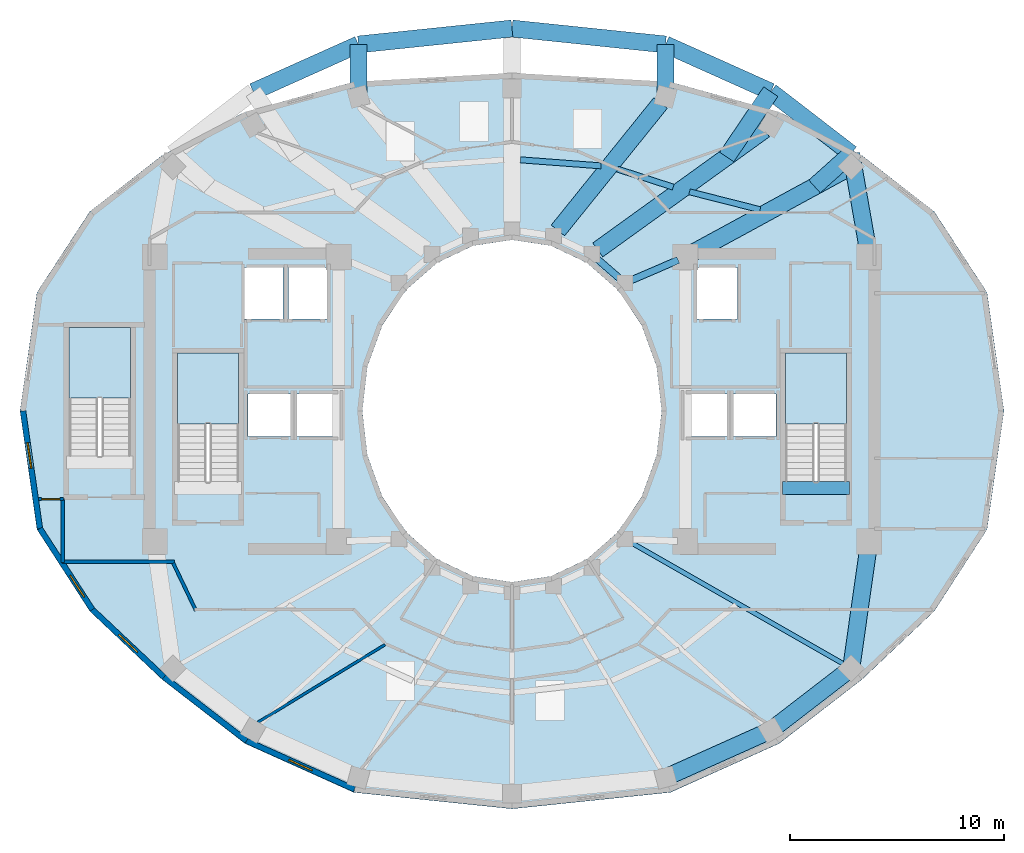
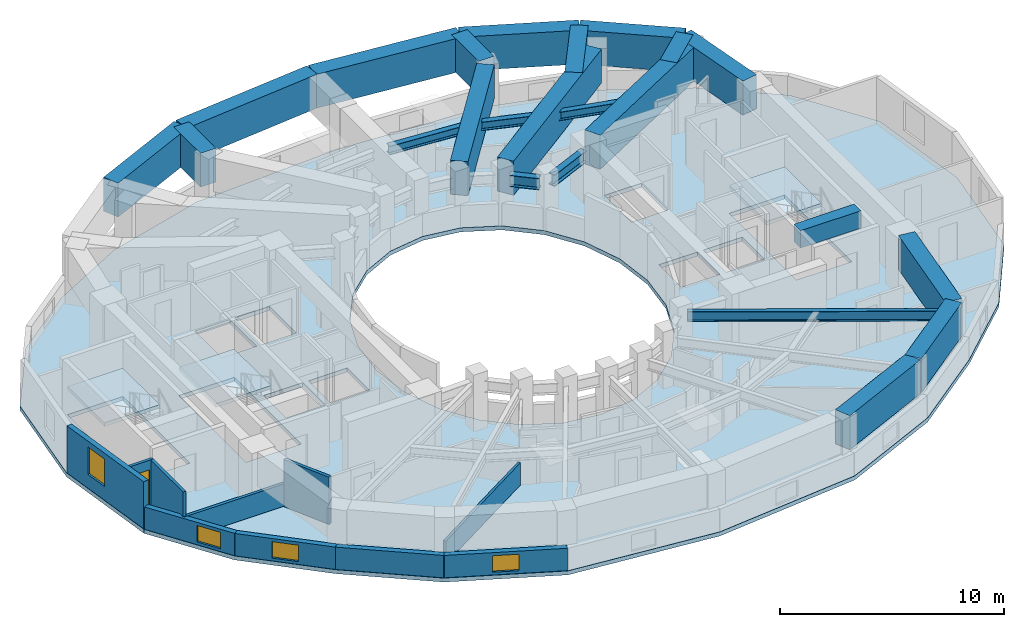
# One storey, part 2 of 9: 23 beams, 10 walls, 4 slabs, 4 windows, 1 door, 5 openings, 3 elements without a shape of their own.
"""IFC4 building model written with IfcOpenShell, lengths in metres."""

from ifc_helpers import new_model, si_unit, direction, frame, frame_2d, origin, origin_2d, place, context, subcontext, project, spatial, polyline, rectangle, i_section, outline, extrude, material, layer, layer_set, material_profile, profile_set, type_object, element, fill, aggregate, save


model = new_model("IFC4")

# Units and contexts
model_context = context("Model", 3, precision=1e-05, world=origin(), true_north=direction((0.0, 1.0)))
body_context = subcontext(model_context, "Body", "Model", "MODEL_VIEW")
ifc_project = project(units=[si_unit("LENGTHUNIT", "METRE"), si_unit("AREAUNIT", "SQUARE_METRE"), si_unit("VOLUMEUNIT", "CUBIC_METRE"), si_unit("PLANEANGLEUNIT", "RADIAN"), si_unit("MASSUNIT", "GRAM", prefix="KILO")], contexts=[model_context])

# Site, building, storey
site_placement = place(None, origin())
site = spatial("IfcSite", under=ifc_project, at=site_placement, CompositionType="ELEMENT")
building_placement = place(site_placement, origin())
building = spatial("IfcBuilding", under=site, at=building_placement, Name="Solvane Sanctuary Tower", CompositionType="ELEMENT")
storey_placement = place(building_placement, frame((0.0, 0.0, 177.699951171875)))
storey = spatial("IfcBuildingStorey", under=building, at=storey_placement, Name="L54", CompositionType="ELEMENT", Elevation=177.699951171875)

# Beams
ifc_material_1 = material(Name="Concrete C70/85", Category="concrete")
ifc_material_profile_1 = material_profile(ifc_material_1, rectangle(XDim=0.60009765625, YDim=0.949951171875, at=origin_2d()), Name="RC600X950")
ifc_profile_set_1 = profile_set([ifc_material_profile_1], Name="Concrete C70/85")
beam_type_1 = type_object("IfcBeamType", Name="Beam B-COUPLE RC600X950", PredefinedType="LINTEL", material=ifc_profile_set_1)
beam_1_placement = place(storey_placement, frame((44.64990234375, 19.399169921875, 2.625), z_axis=(1.0, 0.0, 0.0), x_axis=(0.0, 1.0, 0.0)))
element("IfcBeam", 1, at=beam_1_placement, inside=storey, type_object=beam_type_1, Name="L54 ST-2 Stair Floor Landing Trimmer", PredefinedType="LINTEL", context=body_context, shape_type="SweptSolid", body=[
    extrude(rectangle(XDim=0.60009765625, YDim=0.949951171875, at=origin_2d()), origin(), (0.0, 0.0, 1.0), 3.1201171875),
])
ifc_material_2 = material(Name="Steel ASTM A992 Grade 50", Category="steel")
ifc_material_profile_2 = material_profile(ifc_material_2, i_section(OverallWidth=0.214111328125, OverallDepth=0.549072265625, WebThickness=0.0146484375, FlangeThickness=0.023681640625, FilletRadius=0.014892578125, at=origin_2d()), Name="W21X93")
ifc_profile_set_2 = profile_set([ifc_material_profile_2], Name="Steel ASTM A992 Grade 50")
beam_type_2 = type_object("IfcBeamType", Name="Beam B-RAD-Z3 W21X93", PredefinedType="JOIST", material=ifc_profile_set_2)
beam_2_placement = place(storey_placement, frame((37.51806640625, 16.87890625, 2.323486328125), z_axis=(0.86816302692, -0.496279113694, 0.0), x_axis=(0.496279113694, 0.86816302692, 0.0)))
element("IfcBeam", 2, at=beam_2_placement, inside=storey, type_object=beam_type_2, Name="L54 Radial Composite Floor Beam 14", PredefinedType="JOIST", context=body_context, shape_type="SweptSolid", body=[
    extrude(i_section(OverallWidth=0.214111328125, OverallDepth=0.549072265625, WebThickness=0.0146484375, FlangeThickness=0.023681640625, FilletRadius=0.014892578125, at=origin_2d()), origin(), (0.0, 0.0, 1.0), 11.62841796875),
])
ifc_material_profile_3 = material_profile(ifc_material_2, i_section(OverallWidth=0.324951171875, OverallDepth=0.615966796875, WebThickness=0.013916015625, FlangeThickness=0.021484375, FilletRadius=0.01611328125, at=origin_2d()), Name="W24X117")
ifc_profile_set_3 = profile_set([ifc_material_profile_3], Name="Steel ASTM A992 Grade 50")
beam_type_3 = type_object("IfcBeamType", Name="Beam B-RING-IN2 W24X117", PredefinedType="BEAM", material=ifc_profile_set_3)
beam_3_placement = place(storey_placement, frame((35.990234375, 30.10009765625, 2.2900390625), z_axis=(0.754311313851, -0.656516901379, 0.0), x_axis=(0.656516901379, 0.754311313851, 0.0)))
element("IfcBeam", 3, at=beam_3_placement, inside=storey, type_object=beam_type_3, Name="L54 Inner Light-Well Ring Beam IC02-IC01", PredefinedType="BEAM", context=body_context, shape_type="SweptSolid", body=[
    extrude(i_section(OverallWidth=0.324951171875, OverallDepth=0.615966796875, WebThickness=0.013916015625, FlangeThickness=0.021484375, FilletRadius=0.01611328125, at=origin_2d()), origin(), (0.0, 0.0, 1.0), 1.358154296875),
])
beam_4_placement = place(storey_placement, frame((37.591796875, 29.11865234375, 2.2900390625), z_axis=(0.918264067649, 0.395968561966, 0.0), x_axis=(-0.395968561966, 0.918264067649, 0.0)))
element("IfcBeam", 4, at=beam_4_placement, inside=storey, type_object=beam_type_3, Name="L54 Inner Light-Well Ring Beam IC01-CE4", PredefinedType="BEAM", context=body_context, shape_type="SweptSolid", body=[
    extrude(i_section(OverallWidth=0.324951171875, OverallDepth=0.615966796875, WebThickness=0.013916015625, FlangeThickness=0.021484375, FilletRadius=0.01611328125, at=origin_2d()), origin(), (0.0, 0.0, 1.0), 2.371337890625),
])
ifc_material_profile_4 = material_profile(ifc_material_2, i_section(OverallWidth=0.280029296875, OverallDepth=0.462890625, WebThickness=0.0107421875, FlangeThickness=0.017333984375, FilletRadius=0.013916015625, at=origin_2d()), Name="W18X76")
ifc_profile_set_4 = profile_set([ifc_material_profile_4], Name="Steel ASTM A992 Grade 50")
beam_type_4 = type_object("IfcBeamType", Name="Beam B-SEC-JOIST W18X76", PredefinedType="JOIST", material=ifc_profile_set_4)
beam_5_placement = place(storey_placement, frame((32.393798828125, 34.740478515625, 2.366455078125), z_axis=(0.997214593532, -0.074585886379, 0.0), x_axis=(0.074585886379, 0.997214593532, 0.0)))
element("IfcBeam", 5, at=beam_5_placement, inside=storey, type_object=beam_type_4, Name="L54 Secondary Circumferential Joist 04-03", PredefinedType="JOIST", context=body_context, shape_type="SweptSolid", body=[
    extrude(i_section(OverallWidth=0.280029296875, OverallDepth=0.462890625, WebThickness=0.0107421875, FlangeThickness=0.017333984375, FilletRadius=0.013916015625, at=origin_2d()), origin(), (0.0, 0.0, 1.0), 3.77734375),
])
beam_6_placement = place(storey_placement, frame((36.930419921875, 34.3076171875, 2.366455078125), z_axis=(0.951521219436, -0.307583109035, 0.0), x_axis=(0.307583109035, 0.951521219436, 0.0)))
element("IfcBeam", 6, at=beam_6_placement, inside=storey, type_object=beam_type_4, Name="L54 Secondary Circumferential Joist 03-02", PredefinedType="JOIST", context=body_context, shape_type="SweptSolid", body=[
    extrude(i_section(OverallWidth=0.280029296875, OverallDepth=0.462890625, WebThickness=0.0107421875, FlangeThickness=0.017333984375, FilletRadius=0.013916015625, at=origin_2d()), origin(), (0.0, 0.0, 1.0), 2.74072265625),
])
beam_7_placement = place(storey_placement, frame((40.297119140625, 33.24609375, 2.366455078125), z_axis=(0.969352380712, -0.245674504186, 0.0), x_axis=(0.245674504186, 0.969352380712, 0.0)))
element("IfcBeam", 7, at=beam_7_placement, inside=storey, type_object=beam_type_4, Name="L54 Secondary Circumferential Joist 02-01", PredefinedType="JOIST", context=body_context, shape_type="SweptSolid", body=[
    extrude(i_section(OverallWidth=0.280029296875, OverallDepth=0.462890625, WebThickness=0.0107421875, FlangeThickness=0.017333984375, FilletRadius=0.013916015625, at=origin_2d()), origin(), (0.0, 0.0, 1.0), 3.402587890625),
])
ifc_material_profile_5 = material_profile(ifc_material_1, rectangle(XDim=0.800048828125, YDim=1.85009765625, at=origin_2d()), Name="RC800X1850")
ifc_profile_set_5 = profile_set([ifc_material_profile_5], Name="Concrete C70/85")
beam_type_5 = type_object("IfcBeamType", Name="Beam B-XFER-BLK RC800X1850", PredefinedType="BEAM", material=ifc_profile_set_5)
beam_8_placement = place(storey_placement, frame((40.416015625, 30.372314453125, 2.175048828125), z_axis=(0.878108492406, 0.47846157167, 0.0), x_axis=(-0.47846157167, 0.878108492406, 0.0)))
element("IfcBeam", 8, at=beam_8_placement, inside=storey, type_object=beam_type_5, Name="L54 Block-Shift Radial Transfer Girder 01A", PredefinedType="BEAM", context=body_context, shape_type="SweptSolid", body=[
    extrude(rectangle(XDim=0.800048828125, YDim=1.85009765625, at=origin_2d()), origin(), (0.0, 0.0, 1.0), 8.103515625),
])
beam_9_placement = place(storey_placement, frame((46.144287109375, 33.493408203125, 2.175048828125), z_axis=(0.744063778649, 0.668108593945, 0.0), x_axis=(-0.668108593945, 0.744063778649, 0.0)))
element("IfcBeam", 9, at=beam_9_placement, inside=storey, type_object=beam_type_5, Name="L54 Block-Shift Transfer Tie 01B", PredefinedType="BEAM", context=body_context, shape_type="SweptSolid", body=[
    extrude(rectangle(XDim=0.800048828125, YDim=1.85009765625, at=origin_2d()), origin(), (0.0, 0.0, 1.0), 2.301513671875),
])
beam_10_placement = place(storey_placement, frame((36.010009765625, 30.5283203125, 2.175048828125), z_axis=(0.811184514133, 0.584790290643, 0.0), x_axis=(-0.584790290643, 0.811184514133, 0.0)))
element("IfcBeam", 10, at=beam_10_placement, inside=storey, type_object=beam_type_5, Name="L54 Block-Shift Radial Transfer Girder 02A", PredefinedType="BEAM", context=body_context, shape_type="SweptSolid", body=[
    extrude(rectangle(XDim=0.800048828125, YDim=1.85009765625, at=origin_2d()), origin(), (0.0, 0.0, 1.0), 9.600830078125),
])
beam_11_placement = place(storey_placement, frame((42.03662109375, 34.873291015625, 2.175048828125), z_axis=(0.559400033837, 0.828897823705, 0.0), x_axis=(-0.828897823705, 0.559400033837, 0.0)))
element("IfcBeam", 11, at=beam_11_placement, inside=storey, type_object=beam_type_5, Name="L54 Block-Shift Transfer Tie 02B", PredefinedType="BEAM", context=body_context, shape_type="SweptSolid", body=[
    extrude(rectangle(XDim=0.800048828125, YDim=1.85009765625, at=origin_2d()), origin(), (0.0, 0.0, 1.0), 3.685302734375),
])
beam_12_placement = place(storey_placement, frame((34.147216796875, 31.4404296875, 2.175048828125), z_axis=(0.627295131383, 0.778781624169, 0.0), x_axis=(-0.778781624169, 0.627295131383, 0.0)))
element("IfcBeam", 12, at=beam_12_placement, inside=storey, type_object=beam_type_5, Name="L54 Block-Shift Radial Transfer Girder 03A", PredefinedType="BEAM", context=body_context, shape_type="SweptSolid", body=[
    extrude(rectangle(XDim=0.800048828125, YDim=1.85009765625, at=origin_2d()), origin(), (0.0, 0.0, 1.0), 7.650390625),
])
for number, where, z_axis, x_axis, name in (
    (13, (39.17822265625, 37.73681640625, 2.175048828125), (0.0, 1.0, 0.0), (-1.0, 0.0, 0.0), "L54 Block-Shift Transfer Tie 03B"),
    (14, (24.82177734375, 37.73681640625, 2.175048828125), (0.0, 1.0, 0.0), (-1.0, 0.0, 0.0), "L54 Block-Shift Transfer Tie 05B"),
):
    element("IfcBeam", number, at=place(storey_placement, frame(where, z_axis=z_axis, x_axis=x_axis)), inside=storey, type_object=beam_type_5, Name=name, PredefinedType="BEAM", context=body_context, shape_type="SweptSolid", body=[
        extrude(rectangle(XDim=0.800048828125, YDim=1.85009765625, at=origin_2d()), origin(), (0.0, 0.0, 1.0), 2.397705078125),
    ])
beam_13_placement = place(storey_placement, frame((19.90185546875, 37.927978515625, 2.175048828125), z_axis=(0.912435879272, 0.409219704092, 0.0), x_axis=(-0.409219704092, 0.912435879272, 0.0)))
element("IfcBeam", 15, at=beam_13_placement, inside=storey, type_object=beam_type_5, Name="L54 Perimeter Step Transfer Ring NTC06-NTC05", PredefinedType="BEAM", context=body_context, shape_type="SweptSolid", body=[
    extrude(rectangle(XDim=0.800048828125, YDim=1.85009765625, at=origin_2d()), origin(), (0.0, 0.0, 1.0), 5.39208984375),
])
for number, where, z_axis, x_axis, name in (
    (16, (24.82177734375, 40.134521484375, 2.175048828125), (0.994652199756, 0.10328117699, 0.0), (-0.10328117699, 0.994652199756, 0.0), "L54 Perimeter Step Transfer Ring NTC05-NTC04"),
    (17, (32.0, 40.8798828125, 2.175048828125), (0.994652199756, -0.10328117699, 0.0), (0.10328117699, 0.994652199756, 0.0), "L54 Perimeter Step Transfer Ring NTC04-NTC03"),
):
    element("IfcBeam", number, at=place(storey_placement, frame(where, z_axis=z_axis, x_axis=x_axis)), inside=storey, type_object=beam_type_5, Name=name, PredefinedType="BEAM", context=body_context, shape_type="SweptSolid", body=[
        extrude(rectangle(XDim=0.800048828125, YDim=1.85009765625, at=origin_2d()), origin(), (0.0, 0.0, 1.0), 7.216796875),
    ])
beam_14_placement = place(storey_placement, frame((39.17822265625, 40.134521484375, 2.175048828125), z_axis=(0.912435879272, -0.409219704092, 0.0), x_axis=(0.409219704092, 0.912435879272, 0.0)))
element("IfcBeam", 18, at=beam_14_placement, inside=storey, type_object=beam_type_5, Name="L54 Perimeter Step Transfer Ring NTC03-NTC02", PredefinedType="BEAM", context=body_context, shape_type="SweptSolid", body=[
    extrude(rectangle(XDim=0.800048828125, YDim=1.85009765625, at=origin_2d()), origin(), (0.0, 0.0, 1.0), 5.39208984375),
])
beam_15_placement = place(storey_placement, frame((44.09814453125, 37.927978515625, 2.175048828125), z_axis=(0.792034554649, -0.610476260179, 0.0), x_axis=(0.610476260179, 0.792034554649, 0.0)))
element("IfcBeam", 19, at=beam_15_placement, inside=storey, type_object=beam_type_5, Name="L54 Perimeter Step Transfer Ring NTC02-NTC01", PredefinedType="BEAM", context=body_context, shape_type="SweptSolid", body=[
    extrude(rectangle(XDim=0.800048828125, YDim=1.85009765625, at=origin_2d()), origin(), (0.0, 0.0, 1.0), 4.745361328125),
])
beam_16_placement = place(storey_placement, frame((47.856689453125, 35.031005859375, 2.175048828125), z_axis=(0.171982816413, -0.98509994968, 0.0), x_axis=(0.98509994968, 0.171982816413, 0.0)))
element("IfcBeam", 20, at=beam_16_placement, inside=storey, type_object=beam_type_5, Name="L54 Perimeter Step Transfer Ring NTC01-CE3", PredefinedType="BEAM", context=body_context, shape_type="SweptSolid", body=[
    extrude(rectangle(XDim=0.800048828125, YDim=1.85009765625, at=origin_2d()), origin(), (0.0, 0.0, 1.0), 4.5439453125),
])
beam_17_placement = place(storey_placement, frame((39.17822265625, 5.865478515625, 2.175048828125), z_axis=(0.912435879272, 0.409219704092, 0.0), x_axis=(-0.409219704092, 0.912435879272, 0.0)))
element("IfcBeam", 21, at=beam_17_placement, inside=storey, type_object=beam_type_5, Name="L54 Perimeter Step Transfer Ring NTC12-NTC13", PredefinedType="BEAM", context=body_context, shape_type="SweptSolid", body=[
    extrude(rectangle(XDim=0.800048828125, YDim=1.85009765625, at=origin_2d()), origin(), (0.0, 0.0, 1.0), 5.39208984375),
])
beam_18_placement = place(storey_placement, frame((44.09814453125, 8.072021484375, 2.175048828125), z_axis=(0.792034554649, 0.610476260179, 0.0), x_axis=(-0.610476260179, 0.792034554649, 0.0)))
element("IfcBeam", 22, at=beam_18_placement, inside=storey, type_object=beam_type_5, Name="L54 Perimeter Step Transfer Ring NTC13-NTC14", PredefinedType="BEAM", context=body_context, shape_type="SweptSolid", body=[
    extrude(rectangle(XDim=0.800048828125, YDim=1.85009765625, at=origin_2d()), origin(), (0.0, 0.0, 1.0), 4.745361328125),
])
beam_19_placement = place(storey_placement, frame((47.856689453125, 10.968994140625, 2.175048828125), z_axis=(0.1407839619, 0.990040340628, 0.0), x_axis=(-0.990040340628, 0.1407839619, 0.0)))
element("IfcBeam", 23, at=beam_19_placement, inside=storey, type_object=beam_type_5, Name="L54 Perimeter Step Transfer Ring NTC14-CE2", PredefinedType="BEAM", context=body_context, shape_type="SweptSolid", body=[
    extrude(rectangle(XDim=0.800048828125, YDim=1.85009765625, at=origin_2d()), origin(), (0.0, 0.0, 1.0), 5.630859375),
])

# Stair, slab
ifc_material_3 = material(Name="Concrete C45/55", Category="concrete")
stair_type = type_object("IfcStairType", Name="Stair ST-TOW", PredefinedType="HALF_TURN_STAIR", material=ifc_material_3)
stair_1_placement = place(storey_placement, origin())
stair_1 = element("IfcStair", 24, at=stair_1_placement, inside=storey, type_object=stair_type, Name="L54 Exit Stair ST-1 West Core", PredefinedType="HALF_TURN_STAIR")
ifc_layer_1 = layer(ifc_material_3, 0.199951171875, Name="Concrete C45/55")
ifc_layer_set_1 = layer_set([ifc_layer_1], Name="Concrete C45/55")
slab_type_1 = type_object("IfcSlabType", Name="Slab SL-LAND-180", PredefinedType="LANDING", material=ifc_layer_set_1)
slab_1_placement = place(storey_placement, frame((0.0, 0.0, 1.35009765625)))
slab_1 = element("IfcSlab", 25, at=slab_1_placement, type_object=slab_type_1, Name="ST-1 landing 1", PredefinedType="LANDING", context=body_context, shape_type="SweptSolid", body=[
    extrude(outline(polyline([(19.219970703125, 22.39990234375), (19.219970703125, 25.699951171875), (16.360107421875, 25.699951171875), (16.360107421875, 22.39990234375), (19.219970703125, 22.39990234375)])), origin(), (0.0, 0.0, 1.0), 0.199951171875),
])
aggregate(stair_1, [slab_1])

stair_2_placement = place(storey_placement, origin())
stair_2 = element("IfcStair", 26, at=stair_2_placement, inside=storey, type_object=stair_type, Name="L54 Exit Stair ST-2 East Core", PredefinedType="HALF_TURN_STAIR")
slab_2_placement = place(storey_placement, frame((0.0, 0.0, 1.35009765625)))
slab_2 = element("IfcSlab", 27, at=slab_2_placement, type_object=slab_type_1, Name="ST-2 landing 1", PredefinedType="LANDING", context=body_context, shape_type="SweptSolid", body=[
    extrude(outline(polyline([(47.639892578125, 22.39990234375), (47.639892578125, 25.699951171875), (44.780029296875, 25.699951171875), (44.780029296875, 22.39990234375), (47.639892578125, 22.39990234375)])), origin(), (0.0, 0.0, 1.0), 0.199951171875),
])
aggregate(stair_2, [slab_2])

stair_3_placement = place(storey_placement, origin())
stair_3 = element("IfcStair", 28, at=stair_3_placement, inside=storey, type_object=stair_type, Name="L54 Exit Stair ST-3 Pilgrim Tower Stair", PredefinedType="HALF_TURN_STAIR")
slab_3_placement = place(storey_placement, frame((0.0, 0.0, 1.35009765625)))
slab_3 = element("IfcSlab", 29, at=slab_3_placement, type_object=slab_type_1, Name="ST-3 landing 1", PredefinedType="LANDING", context=body_context, shape_type="SweptSolid", body=[
    extrude(outline(polyline([(14.159912109375, 23.60009765625), (14.159912109375, 26.89990234375), (11.300048828125, 26.89990234375), (11.300048828125, 23.60009765625), (14.159912109375, 23.60009765625)])), origin(), (0.0, 0.0, 1.0), 0.199951171875),
])
aggregate(stair_3, [slab_3])

# Slab
ifc_layer_2 = layer(ifc_material_3, 0.219970703125, Name="Concrete C45/55")
ifc_layer_set_2 = layer_set([ifc_layer_2], Name="Concrete C45/55")
slab_type_2 = type_object("IfcSlabType", Name="Slab SL-TOW-220", PredefinedType="FLOOR", material=ifc_layer_set_2)
slab_4_placement = place(storey_placement, frame((0.0, 0.0, -0.219970703125)))
element("IfcSlab", 30, at=slab_4_placement, inside=storey, type_object=slab_type_2, Name="L54 Primary Structural Slab", PredefinedType="FLOOR", context=body_context, shape_type="SweptSolid", body=[
    extrude(outline(polyline([(55.0, 23.0), (54.205322265625, 28.54150390625), (51.7392578125, 32.3193359375), (48.368896484375, 34.938720703125), (44.489013671875, 36.977294921875), (39.410400390625, 38.3818359375), (32.0, 38.800048828125), (24.589599609375, 38.3818359375), (19.510986328125, 36.977294921875), (15.631103515625, 34.938720703125), (12.2607421875, 32.3193359375), (9.794677734375, 28.54150390625), (9.0, 23.0), (9.794677734375, 17.45849609375), (12.2607421875, 13.639892578125), (15.631103515625, 10.45654296875), (19.510986328125, 7.4541015625), (24.589599609375, 5.17041015625), (32.0, 4.39990234375), (39.410400390625, 5.17041015625), (44.489013671875, 7.4541015625), (48.368896484375, 10.45654296875), (51.7392578125, 13.639892578125), (54.205322265625, 17.45849609375), (55.0, 23.0)]), holes=[polyline([(38.761474609375, 20.929443359375), (38.062255859375, 19.0), (36.94970703125, 17.343017578125), (35.5, 16.07177734375), (33.811767578125, 15.272705078125), (32.0, 15.0), (30.188232421875, 15.272705078125), (28.5, 16.07177734375), (27.05029296875, 17.343017578125), (25.937744140625, 19.0), (25.238525390625, 20.929443359375), (25.0, 23.0), (25.238525390625, 25.070556640625), (25.937744140625, 27.0), (27.05029296875, 28.656982421875), (28.5, 29.92822265625), (30.188232421875, 30.727294921875), (32.0, 31.0), (33.811767578125, 30.727294921875), (35.5, 29.92822265625), (36.94970703125, 28.656982421875), (38.062255859375, 27.0), (38.761474609375, 25.070556640625), (39.0, 23.0), (38.761474609375, 20.929443359375)]), polyline([(16.360107421875, 19.699951171875), (16.360107421875, 25.699951171875), (19.219970703125, 25.699951171875), (19.219970703125, 19.699951171875), (16.360107421875, 19.699951171875)]), polyline([(44.780029296875, 19.699951171875), (44.780029296875, 25.699951171875), (47.639892578125, 25.699951171875), (47.639892578125, 19.699951171875), (44.780029296875, 19.699951171875)]), polyline([(11.300048828125, 20.89990234375), (11.300048828125, 26.89990234375), (14.159912109375, 26.89990234375), (14.159912109375, 20.89990234375), (11.300048828125, 20.89990234375)]), polyline([(19.64990234375, 23.800048828125), (21.64990234375, 23.800048828125), (21.64990234375, 21.800048828125), (19.64990234375, 21.800048828125), (19.64990234375, 23.800048828125)]), polyline([(42.35009765625, 23.800048828125), (44.35009765625, 23.800048828125), (44.35009765625, 21.800048828125), (42.35009765625, 21.800048828125), (42.35009765625, 23.800048828125)]), polyline([(21.949951171875, 23.800048828125), (23.949951171875, 23.800048828125), (23.949951171875, 21.800048828125), (21.949951171875, 21.800048828125), (21.949951171875, 23.800048828125)]), polyline([(40.050048828125, 23.800048828125), (42.050048828125, 23.800048828125), (42.050048828125, 21.800048828125), (40.050048828125, 21.800048828125), (40.050048828125, 23.800048828125)]), polyline([(19.5, 29.699951171875), (21.300048828125, 29.699951171875), (21.300048828125, 27.300048828125), (19.5, 27.300048828125), (19.5, 29.699951171875)]), polyline([(21.550048828125, 29.699951171875), (23.35009765625, 29.699951171875), (23.35009765625, 27.300048828125), (21.550048828125, 27.300048828125), (21.550048828125, 29.699951171875)]), polyline([(40.64990234375, 29.699951171875), (42.550048828125, 29.699951171875), (42.550048828125, 27.300048828125), (40.64990234375, 27.300048828125), (40.64990234375, 29.699951171875)])]), origin(), (0.0, 0.0, 1.0), 0.219970703125),
])

# Wall, opening, door
ifc_material_4 = material(Name="Acoustic Gypsum Partition Board")
ifc_layer_3 = layer(ifc_material_4, 0.14990234375, Name="Acoustic Gypsum Partition Board")
ifc_layer_set_3 = layer_set([ifc_layer_3], Name="Acoustic Gypsum Partition Board")
wall_type_1 = type_object("IfcWallType", Name="Wall W-CORR-150", PredefinedType="PARTITIONING", material=ifc_layer_set_3)
wall_1_placement = place(storey_placement, frame((9.869873046875, 18.8798828125, 0.0), z_axis=(0.0, 0.0, 1.0), x_axis=(1.0, 0.0, 0.0)))
wall_1 = element("IfcWall", 31, at=wall_1_placement, inside=storey, type_object=wall_type_1, Name="L54 SW Corner Closer 1", PredefinedType="PARTITIONING", context=body_context, shape_type="SweptSolid", body=[
    extrude(rectangle(XDim=1.170166015625, YDim=0.14990234375, at=frame_2d((0.5849609375, 0.0))), origin(), (0.0, 0.0, 1.0), 2.574951171875),
])
opening_1_placement = place(wall_1_placement, frame((0.139892578125, 0.0, 0.0)))
opening_1 = element("IfcOpeningElement", 32, at=opening_1_placement, cuts=wall_1, Name="Opening D-L54-15", PredefinedType="OPENING", context=body_context, shape_type="SweptSolid", body=[
    extrude(rectangle(XDim=0.85009765625, YDim=2.050048828125, at=frame_2d((0.425048828125, 1.02490234375))), frame((0.0, 0.0849609375, 0.0), z_axis=(0.0, -1.0, 0.0), x_axis=(1.0, 0.0, 0.0)), (0.0, 0.0, 1.0), 0.169921875),
])
ifc_material_5 = material(Name="Architectural Stainless Steel 316", Category="steel")
door_type = type_object("IfcDoorType", Name="Door D-RISER", OperationType="NOTDEFINED", PredefinedType="DOOR", material=ifc_material_5)
door_placement = place(opening_1_placement, origin())
door = element("IfcDoor", 33, at=door_placement, inside=storey, type_object=door_type, Name="L54 West Lookout Study Door", OperationType="SINGLE_SWING_LEFT", OverallHeight=2.050048828125, OverallWidth=0.85009765625, PredefinedType="DOOR", context=body_context, shape_type="SweptSolid", body=[
    extrude(rectangle(XDim=0.85009765625, YDim=2.050048828125, at=frame_2d((0.425048828125, 1.02490234375))), frame((0.0, 0.02490234375, 0.0), z_axis=(0.0, -1.0, 0.0), x_axis=(1.0, 0.0, 0.0)), (0.0, 0.0, 1.0), 0.050048828125),
])
fill(opening_1, door)

# Walls
wall_2_placement = place(storey_placement, frame((11.0, 15.909912109375, 0.0), z_axis=(0.0, 0.0, 1.0), x_axis=(0.0, 1.0, 0.0)))
element("IfcWall", 34, at=wall_2_placement, inside=storey, type_object=wall_type_1, Name="L54 SW Corner Closer 2", PredefinedType="PARTITIONING", context=body_context, shape_type="SweptSolid", body=[
    extrude(rectangle(XDim=3.010009765625, YDim=0.14990234375, at=frame_2d((1.5048828125, 0.0))), origin(), (0.0, 0.0, 1.0), 2.574951171875),
])
wall_3_placement = place(storey_placement, frame((10.9599609375, 15.949951171875, 0.0), z_axis=(0.0, 0.0, 1.0), x_axis=(1.0, 0.0, 0.0)))
element("IfcWall", 35, at=wall_3_placement, inside=storey, type_object=wall_type_1, Name="L54 SW Corner Closer 3", PredefinedType="PARTITIONING", context=body_context, shape_type="SweptSolid", body=[
    extrude(rectangle(XDim=5.260009765625, YDim=0.14990234375, at=frame_2d((2.6298828125, 0.0))), origin(), (0.0, 0.0, 1.0), 1.219970703125),
])
wall_4_placement = place(storey_placement, frame((17.2216796875, 13.6748046875, 0.0), z_axis=(0.0, 0.0, 1.0), x_axis=(-0.431973389813, 0.901886351207, 0.0)))
element("IfcWall", 36, at=wall_4_placement, inside=storey, type_object=wall_type_1, Name="L54 SW Corner Wing Wall", PredefinedType="PARTITIONING", context=body_context, shape_type="SweptSolid", body=[
    extrude(rectangle(XDim=2.45166015625, YDim=0.14990234375, at=frame_2d((1.225830078125, 0.0))), origin(), (0.0, 0.0, 1.0), 2.574951171875),
])

# Wall, opening, window
ifc_material_6 = material(Name="Precast concrete C40/50", Category="concrete")
ifc_layer_4 = layer(ifc_material_6, 0.260009765625, Name="Precast concrete C40/50")
ifc_layer_set_4 = layer_set([ifc_layer_4], Name="Precast concrete C40/50")
wall_type_2 = type_object("IfcWallType", Name="Wall W-EXT-250", PredefinedType="STANDARD", material=ifc_layer_set_4)
wall_5_placement = place(storey_placement, frame((9.139892578125, 23.0, 0.0), z_axis=(0.0, 0.0, 1.0), x_axis=(0.142227632286, -0.989833976288, 0.0)))
wall_5 = element("IfcWall", 37, at=wall_5_placement, inside=storey, type_object=wall_type_2, Name="L54 Ceramic-Printed Facade Wall 12", PredefinedType="STANDARD", context=body_context, shape_type="SweptSolid", body=[
    extrude(rectangle(XDim=5.552978515625, YDim=0.260009765625, at=frame_2d((2.7763671875, 0.0))), origin(), (0.0, 0.0, 1.0), 2.570068359375),
])
opening_2_placement = place(wall_5_placement, frame((1.506103515625, 0.0, 0.75)))
opening_2 = element("IfcOpeningElement", 38, at=opening_2_placement, cuts=wall_5, Name="Opening WN-OPER-1200", PredefinedType="OPENING", context=body_context, shape_type="SweptSolid", body=[
    extrude(rectangle(XDim=1.199951171875, YDim=1.5, at=frame_2d((0.60009765625, 0.75))), frame((0.0, 0.139892578125, 0.0), z_axis=(0.0, -1.0, 0.0), x_axis=(1.0, 0.0, 0.0)), (0.0, 0.0, 1.0), 0.280029296875),
])
ifc_material_7 = material(Name="Dark Ceramic-Fritted Low-E Glass", Category="glass")
window_type = type_object("IfcWindowType", Name="Window WN-OPER-1200", PartitioningType="SINGLE_PANEL", PredefinedType="WINDOW", material=ifc_material_7)
window_1_placement = place(opening_2_placement, origin())
window_1 = element("IfcWindow", 39, at=window_1_placement, inside=storey, type_object=window_type, Name="L54 Operable Facade Window 12", OverallHeight=1.5, OverallWidth=1.199951171875, PartitioningType="SINGLE_PANEL", PredefinedType="WINDOW", context=body_context, shape_type="SweptSolid", body=[
    extrude(rectangle(XDim=1.199951171875, YDim=1.5, at=frame_2d((0.60009765625, 0.75))), frame((0.0, 0.030029296875, 0.0), z_axis=(0.0, -1.0, 0.0), x_axis=(1.0, 0.0, 0.0)), (0.0, 0.0, 1.0), 0.06005859375),
])
fill(opening_2, window_1)

wall_6_placement = place(storey_placement, frame((9.9296875, 17.50341796875, 0.0), z_axis=(0.0, 0.0, 1.0), x_axis=(0.543358984534, -0.839500454989, 0.0)))
wall_6 = element("IfcWall", 40, at=wall_6_placement, inside=storey, type_object=wall_type_2, Name="L54 Ceramic-Printed Facade Wall 13", PredefinedType="STANDARD", context=body_context, shape_type="SweptSolid", body=[
    extrude(rectangle(XDim=4.51123046875, YDim=0.260009765625, at=frame_2d((2.255615234375, 0.0))), origin(), (0.0, 0.0, 1.0), 1.219970703125),
])
opening_3_placement = place(wall_6_placement, frame((2.615478515625, 0.0, 0.14990234375)))
opening_3 = element("IfcOpeningElement", 41, at=opening_3_placement, cuts=wall_6, Name="Opening WN-OPER-1200", PredefinedType="OPENING", context=body_context, shape_type="SweptSolid", body=[
    extrude(rectangle(XDim=1.199951171875, YDim=0.89990234375, at=frame_2d((0.60009765625, 0.449951171875))), frame((0.0, 0.139892578125, 0.0), z_axis=(0.0, -1.0, 0.0), x_axis=(1.0, 0.0, 0.0)), (0.0, 0.0, 1.0), 0.280029296875),
])
window_2_placement = place(opening_3_placement, origin())
window_2 = element("IfcWindow", 42, at=window_2_placement, inside=storey, type_object=window_type, Name="L54 Operable Facade Window 13", OverallHeight=0.89990234375, OverallWidth=1.199951171875, PartitioningType="SINGLE_PANEL", PredefinedType="WINDOW", context=body_context, shape_type="SweptSolid", body=[
    extrude(rectangle(XDim=1.199951171875, YDim=0.89990234375, at=frame_2d((0.60009765625, 0.449951171875))), frame((0.0, 0.030029296875, 0.0), z_axis=(0.0, -1.0, 0.0), x_axis=(1.0, 0.0, 0.0)), (0.0, 0.0, 1.0), 0.06005859375),
])
fill(opening_3, window_2)

wall_7_placement = place(storey_placement, frame((12.380859375, 13.71630859375, 0.0), z_axis=(0.0, 0.0, 1.0), x_axis=(0.727667301037, -0.68593024354, 0.0)))
wall_7 = element("IfcWall", 43, at=wall_7_placement, inside=storey, type_object=wall_type_2, Name="L54 Ceramic-Printed Facade Wall 14", PredefinedType="STANDARD", context=body_context, shape_type="SweptSolid", body=[
    extrude(rectangle(XDim=4.603515625, YDim=0.260009765625, at=frame_2d((2.3017578125, 0.0))), origin(), (0.0, 0.0, 1.0), 1.219970703125),
])
opening_4_placement = place(wall_7_placement, frame((1.70166015625, 0.0, 0.14990234375)))
opening_4 = element("IfcOpeningElement", 44, at=opening_4_placement, cuts=wall_7, Name="Opening WN-OPER-1200", PredefinedType="OPENING", context=body_context, shape_type="SweptSolid", body=[
    extrude(rectangle(XDim=1.199951171875, YDim=0.89990234375, at=frame_2d((0.60009765625, 0.449951171875))), frame((0.0, 0.139892578125, 0.0), z_axis=(0.0, -1.0, 0.0), x_axis=(1.0, 0.0, 0.0)), (0.0, 0.0, 1.0), 0.280029296875),
])
window_3_placement = place(opening_4_placement, origin())
window_3 = element("IfcWindow", 45, at=window_3_placement, inside=storey, type_object=window_type, Name="L54 Operable Facade Window 14", OverallHeight=0.89990234375, OverallWidth=1.199951171875, PartitioningType="SINGLE_PANEL", PredefinedType="WINDOW", context=body_context, shape_type="SweptSolid", body=[
    extrude(rectangle(XDim=1.199951171875, YDim=0.89990234375, at=frame_2d((0.60009765625, 0.449951171875))), frame((0.0, 0.030029296875, 0.0), z_axis=(0.0, -1.0, 0.0), x_axis=(1.0, 0.0, 0.0)), (0.0, 0.0, 1.0), 0.06005859375),
])
fill(opening_4, window_3)

# Wall
wall_8_placement = place(storey_placement, frame((15.730712890625, 10.55859375, 0.0), z_axis=(0.0, 0.0, 1.0), x_axis=(0.791460185804, -0.611220724687, 0.0)))
element("IfcWall", 46, at=wall_8_placement, inside=storey, type_object=wall_type_2, Name="L54 Ceramic-Printed Facade Wall 15", PredefinedType="STANDARD", context=body_context, shape_type="SweptSolid", body=[
    extrude(rectangle(XDim=4.872314453125, YDim=0.260009765625, at=frame_2d((2.43603515625, 0.0))), origin(), (0.0, 0.0, 1.0), 1.219970703125),
])

# Wall, opening, window
wall_9_placement = place(storey_placement, frame((19.5869140625, 7.58056640625, 0.0), z_axis=(0.0, 0.0, 1.0), x_axis=(0.912353637112, -0.409403029847, 0.0)))
wall_9 = element("IfcWall", 47, at=wall_9_placement, inside=storey, type_object=wall_type_2, Name="L54 Ceramic-Printed Facade Wall 16", PredefinedType="STANDARD", context=body_context, shape_type="SweptSolid", body=[
    extrude(rectangle(XDim=5.53271484375, YDim=0.260009765625, at=frame_2d((2.766357421875, 0.0))), origin(), (0.0, 0.0, 1.0), 1.219970703125),
])
opening_5_placement = place(wall_9_placement, frame((2.16650390625, 0.0, 0.14990234375)))
opening_5 = element("IfcOpeningElement", 48, at=opening_5_placement, cuts=wall_9, Name="Opening WN-OPER-1200", PredefinedType="OPENING", context=body_context, shape_type="SweptSolid", body=[
    extrude(rectangle(XDim=1.199951171875, YDim=0.89990234375, at=frame_2d((0.60009765625, 0.449951171875))), frame((0.0, 0.139892578125, 0.0), z_axis=(0.0, -1.0, 0.0), x_axis=(1.0, 0.0, 0.0)), (0.0, 0.0, 1.0), 0.280029296875),
])
window_4_placement = place(opening_5_placement, origin())
window_4 = element("IfcWindow", 49, at=window_4_placement, inside=storey, type_object=window_type, Name="L54 Operable Facade Window 16", OverallHeight=0.89990234375, OverallWidth=1.199951171875, PartitioningType="SINGLE_PANEL", PredefinedType="WINDOW", context=body_context, shape_type="SweptSolid", body=[
    extrude(rectangle(XDim=1.199951171875, YDim=0.89990234375, at=frame_2d((0.60009765625, 0.449951171875))), frame((0.0, 0.030029296875, 0.0), z_axis=(0.0, -1.0, 0.0), x_axis=(1.0, 0.0, 0.0)), (0.0, 0.0, 1.0), 0.06005859375),
])
fill(opening_5, window_4)

# Wall
ifc_layer_5 = layer(ifc_material_4, 0.125, Name="Acoustic Gypsum Partition Board")
ifc_layer_set_5 = layer_set([ifc_layer_5], Name="Acoustic Gypsum Partition Board")
wall_type_3 = type_object("IfcWallType", Name="Wall W-PART-125", PredefinedType="PARTITIONING", material=ifc_layer_set_5)
wall_10_placement = place(storey_placement, frame((26.06201171875, 12.074951171875, 0.0), z_axis=(0.0, 0.0, 1.0), x_axis=(-0.853440334679, -0.521190555501, 0.0)))
element("IfcWall", 50, at=wall_10_placement, inside=storey, type_object=wall_type_3, Name="L54 Radial Compartment Wall 240", PredefinedType="PARTITIONING", context=body_context, shape_type="SweptSolid", body=[
    extrude(rectangle(XDim=6.966064453125, YDim=0.125, at=frame_2d((3.48291015625, 0.0))), origin(), (0.0, 0.0, 1.0), 1.219970703125),
])

save(model, "model.ifc")
